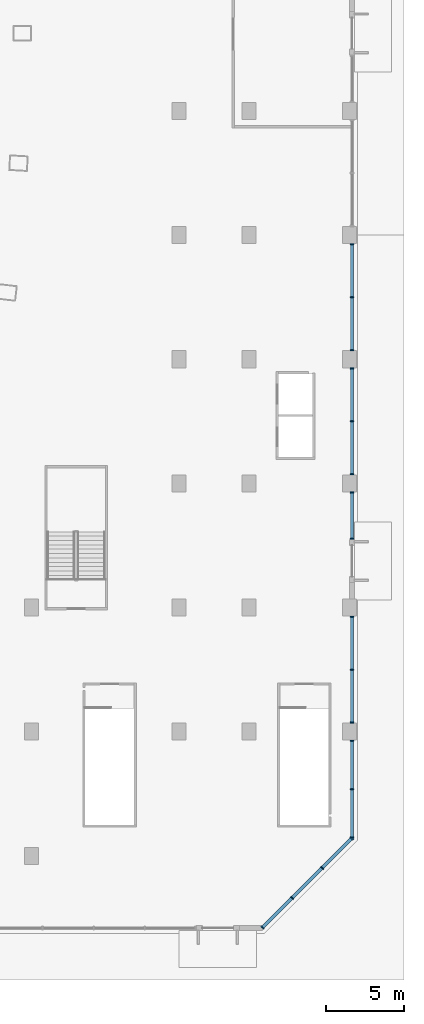
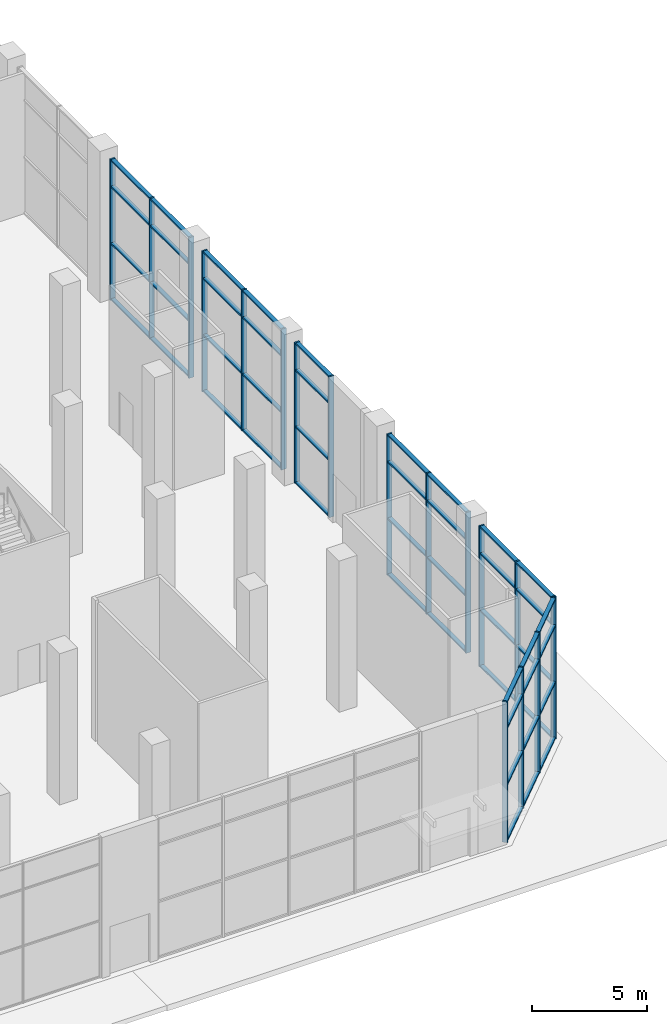
# One storey, part 4 of 33: 66 members, 6 elements without a shape of their own.
"""IFC4 building model written with IfcOpenShell, lengths in metres."""

from ifc_helpers import new_model, si_unit, direction, frame, origin, origin_2d, place, context, subcontext, project, spatial, rectangle, extrude, material, layer, layer_set, material_profile, profile_set, type_object, element, aggregate, save


model = new_model("IFC4")

# Units and contexts
model_context = context("Model", 3, precision=1e-05, world=origin(), true_north=direction((0.0, 1.0)))
body_context = subcontext(model_context, "Body", "Model", "MODEL_VIEW")
ifc_project = project(units=[si_unit("LENGTHUNIT", "METRE"), si_unit("AREAUNIT", "SQUARE_METRE"), si_unit("VOLUMEUNIT", "CUBIC_METRE"), si_unit("PLANEANGLEUNIT", "RADIAN"), si_unit("MASSUNIT", "GRAM", prefix="KILO")], contexts=[model_context])

# Site, building, storey
site_placement = place(None, origin())
site = spatial("IfcSite", under=ifc_project, at=site_placement, CompositionType="ELEMENT")
building_placement = place(site_placement, origin())
building = spatial("IfcBuilding", under=site, at=building_placement, Name="Alderwake Tower", CompositionType="ELEMENT")
storey_placement = place(building_placement, origin())
storey = spatial("IfcBuildingStorey", under=building, at=storey_placement, Name="L00", CompositionType="ELEMENT", Elevation=0.0)

# Curtain wall, members
ifc_material_1 = material(Name="Bronze tinted glass in aluminium frame", Category="aluminium")
ifc_layer = layer(ifc_material_1, 0.300048828125)
ifc_layer_set = layer_set([ifc_layer], Name="Curtain wall CW2 station concourse wall")
curtain_wall_type = type_object("IfcCurtainWallType", Name="Curtain wall CW2 station concourse wall", PredefinedType="NOTDEFINED", material=ifc_layer_set)
curtain_wall_1_placement = place(storey_placement, origin())
curtain_wall_1 = element("IfcCurtainWall", 1, at=curtain_wall_1_placement, inside=storey, type_object=curtain_wall_type, Name="Curtain wall 5", PredefinedType="NOTDEFINED")
ifc_material_2 = material(Name="Aluminium bronze anodised", Category="aluminium")
ifc_material_profile_1 = material_profile(ifc_material_2, rectangle(XDim=0.25, YDim=0.080078125, at=origin_2d()), Name="Mullion MUB 80x250")
ifc_profile_set_1 = profile_set([ifc_material_profile_1], Name="Aluminium bronze anodised")
member_type_1 = type_object("IfcMemberType", Name="Mullion MUB 80x250", PredefinedType="MULLION", material=ifc_profile_set_1)
member_1_placement = place(storey_placement, frame((78.88330078125, 3.378173828125, 0.0), z_axis=(0.0, 0.0, 1.0), x_axis=(-0.707106781187, 0.707106781187, 0.0)))
member_1 = element("IfcMember", 2, at=member_1_placement, type_object=member_type_1, Name="CW.05 mullion 1", PredefinedType="MULLION", context=body_context, shape_type="SweptSolid", body=[
    extrude(rectangle(XDim=0.25, YDim=0.080078125, at=origin_2d()), origin(), (0.0, 0.0, 1.0), 7.449951171875),
])
member_2_placement = place(storey_placement, frame((80.790283203125, 5.28515625, 0.0), z_axis=(0.0, 0.0, 1.0), x_axis=(-0.707106781187, 0.707106781187, 0.0)))
member_2 = element("IfcMember", 3, at=member_2_placement, type_object=member_type_1, Name="CW.05 mullion 2", PredefinedType="MULLION", context=body_context, shape_type="SweptSolid", body=[
    extrude(rectangle(XDim=0.25, YDim=0.080078125, at=origin_2d()), origin(), (0.0, 0.0, 1.0), 7.449951171875),
])
member_3_placement = place(storey_placement, frame((82.725341796875, 7.220458984375, 0.0), z_axis=(0.0, 0.0, 1.0), x_axis=(-0.707106781187, 0.707106781187, 0.0)))
member_3 = element("IfcMember", 4, at=member_3_placement, type_object=member_type_1, Name="CW.05 mullion 3", PredefinedType="MULLION", context=body_context, shape_type="SweptSolid", body=[
    extrude(rectangle(XDim=0.25, YDim=0.080078125, at=origin_2d()), origin(), (0.0, 0.0, 1.0), 7.449951171875),
])
member_4_placement = place(storey_placement, frame((84.63232421875, 9.127197265625, 0.0), z_axis=(0.0, 0.0, 1.0), x_axis=(-0.707106781187, 0.707106781187, 0.0)))
member_4 = element("IfcMember", 5, at=member_4_placement, type_object=member_type_1, Name="CW.05 mullion 4", PredefinedType="MULLION", context=body_context, shape_type="SweptSolid", body=[
    extrude(rectangle(XDim=0.25, YDim=0.080078125, at=origin_2d()), origin(), (0.0, 0.0, 1.0), 7.449951171875),
])

curtain_wall_2_placement = place(storey_placement, origin())
curtain_wall_2 = element("IfcCurtainWall", 6, at=curtain_wall_2_placement, inside=storey, type_object=curtain_wall_type, Name="Curtain wall 6", PredefinedType="NOTDEFINED")
member_5_placement = place(storey_placement, frame((84.64990234375, 9.18505859375, 0.0), z_axis=(0.0, 0.0, 1.0), x_axis=(-1.0, 0.0, 0.0)))
member_5 = element("IfcMember", 7, at=member_5_placement, type_object=member_type_1, Name="CW.06 mullion 1", PredefinedType="MULLION", context=body_context, shape_type="SweptSolid", body=[
    extrude(rectangle(XDim=0.25, YDim=0.080078125, at=origin_2d()), origin(), (0.0, 0.0, 1.0), 7.449951171875),
])
member_6_placement = place(storey_placement, frame((84.64990234375, 12.297607421875, 0.0), z_axis=(0.0, 0.0, 1.0), x_axis=(-1.0, 0.0, 0.0)))
member_6 = element("IfcMember", 8, at=member_6_placement, type_object=member_type_1, Name="CW.06 mullion 2", PredefinedType="MULLION", context=body_context, shape_type="SweptSolid", body=[
    extrude(rectangle(XDim=0.25, YDim=0.080078125, at=origin_2d()), origin(), (0.0, 0.0, 1.0), 7.449951171875),
])
member_7_placement = place(storey_placement, frame((84.64990234375, 15.409912109375, 0.0), z_axis=(0.0, 0.0, 1.0), x_axis=(-1.0, 0.0, 0.0)))
member_7 = element("IfcMember", 9, at=member_7_placement, type_object=member_type_1, Name="CW.06 mullion 3", PredefinedType="MULLION", context=body_context, shape_type="SweptSolid", body=[
    extrude(rectangle(XDim=0.25, YDim=0.080078125, at=origin_2d()), origin(), (0.0, 0.0, 1.0), 7.449951171875),
])

curtain_wall_3_placement = place(storey_placement, origin())
curtain_wall_3 = element("IfcCurtainWall", 10, at=curtain_wall_3_placement, inside=storey, type_object=curtain_wall_type, Name="Curtain wall 7", PredefinedType="NOTDEFINED")
member_8_placement = place(storey_placement, frame((84.64990234375, 16.590087890625, 0.0), z_axis=(0.0, 0.0, 1.0), x_axis=(-1.0, 0.0, 0.0)))
member_8 = element("IfcMember", 11, at=member_8_placement, type_object=member_type_1, Name="CW.07 mullion 1", PredefinedType="MULLION", context=body_context, shape_type="SweptSolid", body=[
    extrude(rectangle(XDim=0.25, YDim=0.080078125, at=origin_2d()), origin(), (0.0, 0.0, 1.0), 7.449951171875),
])
member_9_placement = place(storey_placement, frame((84.64990234375, 20.0, 0.0), z_axis=(0.0, 0.0, 1.0), x_axis=(-1.0, 0.0, 0.0)))
member_9 = element("IfcMember", 12, at=member_9_placement, type_object=member_type_1, Name="CW.07 mullion 2", PredefinedType="MULLION", context=body_context, shape_type="SweptSolid", body=[
    extrude(rectangle(XDim=0.25, YDim=0.080078125, at=origin_2d()), origin(), (0.0, 0.0, 1.0), 7.449951171875),
])
member_10_placement = place(storey_placement, frame((84.64990234375, 23.409912109375, 0.0), z_axis=(0.0, 0.0, 1.0), x_axis=(-1.0, 0.0, 0.0)))
member_10 = element("IfcMember", 13, at=member_10_placement, type_object=member_type_1, Name="CW.07 mullion 3", PredefinedType="MULLION", context=body_context, shape_type="SweptSolid", body=[
    extrude(rectangle(XDim=0.25, YDim=0.080078125, at=origin_2d()), origin(), (0.0, 0.0, 1.0), 7.449951171875),
])

curtain_wall_4_placement = place(storey_placement, origin())
curtain_wall_4 = element("IfcCurtainWall", 14, at=curtain_wall_4_placement, inside=storey, type_object=curtain_wall_type, Name="Curtain wall 8", PredefinedType="NOTDEFINED")
member_11_placement = place(storey_placement, frame((84.64990234375, 28.43994140625, 0.0), z_axis=(0.0, 0.0, 1.0), x_axis=(-1.0, 0.0, 0.0)))
member_11 = element("IfcMember", 15, at=member_11_placement, type_object=member_type_1, Name="CW.08 mullion 1", PredefinedType="MULLION", context=body_context, shape_type="SweptSolid", body=[
    extrude(rectangle(XDim=0.25, YDim=0.080078125, at=origin_2d()), origin(), (0.0, 0.0, 1.0), 7.449951171875),
])
member_12_placement = place(storey_placement, frame((84.64990234375, 31.409912109375, 0.0), z_axis=(0.0, 0.0, 1.0), x_axis=(-1.0, 0.0, 0.0)))
member_12 = element("IfcMember", 16, at=member_12_placement, type_object=member_type_1, Name="CW.08 mullion 2", PredefinedType="MULLION", context=body_context, shape_type="SweptSolid", body=[
    extrude(rectangle(XDim=0.25, YDim=0.080078125, at=origin_2d()), origin(), (0.0, 0.0, 1.0), 7.449951171875),
])

curtain_wall_5_placement = place(storey_placement, origin())
curtain_wall_5 = element("IfcCurtainWall", 17, at=curtain_wall_5_placement, inside=storey, type_object=curtain_wall_type, Name="Curtain wall 9", PredefinedType="NOTDEFINED")
member_13_placement = place(storey_placement, frame((84.64990234375, 32.590087890625, 0.0), z_axis=(0.0, 0.0, 1.0), x_axis=(-1.0, 0.0, 0.0)))
member_13 = element("IfcMember", 18, at=member_13_placement, type_object=member_type_1, Name="CW.09 mullion 1", PredefinedType="MULLION", context=body_context, shape_type="SweptSolid", body=[
    extrude(rectangle(XDim=0.25, YDim=0.080078125, at=origin_2d()), origin(), (0.0, 0.0, 1.0), 7.449951171875),
])
member_14_placement = place(storey_placement, frame((84.64990234375, 36.0, 0.0), z_axis=(0.0, 0.0, 1.0), x_axis=(-1.0, 0.0, 0.0)))
member_14 = element("IfcMember", 19, at=member_14_placement, type_object=member_type_1, Name="CW.09 mullion 2", PredefinedType="MULLION", context=body_context, shape_type="SweptSolid", body=[
    extrude(rectangle(XDim=0.25, YDim=0.080078125, at=origin_2d()), origin(), (0.0, 0.0, 1.0), 7.449951171875),
])
member_15_placement = place(storey_placement, frame((84.64990234375, 39.409912109375, 0.0), z_axis=(0.0, 0.0, 1.0), x_axis=(-1.0, 0.0, 0.0)))
member_15 = element("IfcMember", 20, at=member_15_placement, type_object=member_type_1, Name="CW.09 mullion 3", PredefinedType="MULLION", context=body_context, shape_type="SweptSolid", body=[
    extrude(rectangle(XDim=0.25, YDim=0.080078125, at=origin_2d()), origin(), (0.0, 0.0, 1.0), 7.449951171875),
])

curtain_wall_6_placement = place(storey_placement, origin())
curtain_wall_6 = element("IfcCurtainWall", 21, at=curtain_wall_6_placement, inside=storey, type_object=curtain_wall_type, Name="Curtain wall 10", PredefinedType="NOTDEFINED")
member_16_placement = place(storey_placement, frame((84.64990234375, 40.590087890625, 0.0), z_axis=(0.0, 0.0, 1.0), x_axis=(-1.0, 0.0, 0.0)))
member_16 = element("IfcMember", 22, at=member_16_placement, type_object=member_type_1, Name="CW.10 mullion 1", PredefinedType="MULLION", context=body_context, shape_type="SweptSolid", body=[
    extrude(rectangle(XDim=0.25, YDim=0.080078125, at=origin_2d()), origin(), (0.0, 0.0, 1.0), 7.449951171875),
])
member_17_placement = place(storey_placement, frame((84.64990234375, 44.0, 0.0), z_axis=(0.0, 0.0, 1.0), x_axis=(-1.0, 0.0, 0.0)))
member_17 = element("IfcMember", 23, at=member_17_placement, type_object=member_type_1, Name="CW.10 mullion 2", PredefinedType="MULLION", context=body_context, shape_type="SweptSolid", body=[
    extrude(rectangle(XDim=0.25, YDim=0.080078125, at=origin_2d()), origin(), (0.0, 0.0, 1.0), 7.449951171875),
])
member_18_placement = place(storey_placement, frame((84.64990234375, 47.409912109375, 0.0), z_axis=(0.0, 0.0, 1.0), x_axis=(-1.0, 0.0, 0.0)))
member_18 = element("IfcMember", 24, at=member_18_placement, type_object=member_type_1, Name="CW.10 mullion 3", PredefinedType="MULLION", context=body_context, shape_type="SweptSolid", body=[
    extrude(rectangle(XDim=0.25, YDim=0.080078125, at=origin_2d()), origin(), (0.0, 0.0, 1.0), 7.449951171875),
])

# Member
ifc_material_3 = material(Name="Aluminium bronze anodised", Category="aluminium")
ifc_material_profile_2 = material_profile(ifc_material_3, rectangle(XDim=0.199951171875, YDim=0.080078125, at=origin_2d()), Name="Transom TRB 80x200")
ifc_profile_set_2 = profile_set([ifc_material_profile_2], Name="Aluminium bronze anodised")
member_type_2 = type_object("IfcMemberType", Name="Transom TRB 80x200", PredefinedType="USERDEFINED", material=ifc_profile_set_2)
member_19_placement = place(storey_placement, frame((78.91162109375, 3.406494140625, 0.0400390625), z_axis=(0.707106781187, 0.707106781187, 0.0), x_axis=(-0.707106781187, 0.707106781187, 0.0)))
member_19 = element("IfcMember", 25, at=member_19_placement, type_object=member_type_2, Name="CW.05 transom 1.1", ObjectType="TRANSOM", PredefinedType="USERDEFINED", context=body_context, shape_type="SweptSolid", body=[
    extrude(rectangle(XDim=0.199951171875, YDim=0.080078125, at=origin_2d()), origin(), (0.0, 0.0, 1.0), 2.61669921875),
])

member_20_placement = place(storey_placement, frame((78.91162109375, 3.406494140625, 3.0), z_axis=(0.707106781187, 0.707106781187, 0.0), x_axis=(-0.707106781187, 0.707106781187, 0.0)))
member_20 = element("IfcMember", 26, at=member_20_placement, type_object=member_type_2, Name="CW.05 transom 1.2", ObjectType="TRANSOM", PredefinedType="USERDEFINED", context=body_context, shape_type="SweptSolid", body=[
    extrude(rectangle(XDim=0.199951171875, YDim=0.080078125, at=origin_2d()), origin(), (0.0, 0.0, 1.0), 2.61669921875),
])

member_21_placement = place(storey_placement, frame((78.91162109375, 3.406494140625, 6.0), z_axis=(0.707106781187, 0.707106781187, 0.0), x_axis=(-0.707106781187, 0.707106781187, 0.0)))
member_21 = element("IfcMember", 27, at=member_21_placement, type_object=member_type_2, Name="CW.05 transom 1.3", ObjectType="TRANSOM", PredefinedType="USERDEFINED", context=body_context, shape_type="SweptSolid", body=[
    extrude(rectangle(XDim=0.199951171875, YDim=0.080078125, at=origin_2d()), origin(), (0.0, 0.0, 1.0), 2.61669921875),
])

member_22_placement = place(storey_placement, frame((78.91162109375, 3.406494140625, 7.409912109375), z_axis=(0.707106781187, 0.707106781187, 0.0), x_axis=(-0.707106781187, 0.707106781187, 0.0)))
member_22 = element("IfcMember", 28, at=member_22_placement, type_object=member_type_2, Name="CW.05 transom 1.4", ObjectType="TRANSOM", PredefinedType="USERDEFINED", context=body_context, shape_type="SweptSolid", body=[
    extrude(rectangle(XDim=0.199951171875, YDim=0.080078125, at=origin_2d()), origin(), (0.0, 0.0, 1.0), 2.61669921875),
])

member_23_placement = place(storey_placement, frame((80.818603515625, 5.3134765625, 0.0400390625), z_axis=(0.707060830848, 0.707152728539, 0.0), x_axis=(-0.707152728539, 0.707060830848, 0.0)))
member_23 = element("IfcMember", 29, at=member_23_placement, type_object=member_type_2, Name="CW.05 transom 2.1", ObjectType="TRANSOM", PredefinedType="USERDEFINED", context=body_context, shape_type="SweptSolid", body=[
    extrude(rectangle(XDim=0.199951171875, YDim=0.080078125, at=origin_2d()), origin(), (0.0, 0.0, 1.0), 2.65673828125),
])

member_24_placement = place(storey_placement, frame((80.818603515625, 5.3134765625, 3.0), z_axis=(0.707060830848, 0.707152728539, 0.0), x_axis=(-0.707152728539, 0.707060830848, 0.0)))
member_24 = element("IfcMember", 30, at=member_24_placement, type_object=member_type_2, Name="CW.05 transom 2.2", ObjectType="TRANSOM", PredefinedType="USERDEFINED", context=body_context, shape_type="SweptSolid", body=[
    extrude(rectangle(XDim=0.199951171875, YDim=0.080078125, at=origin_2d()), origin(), (0.0, 0.0, 1.0), 2.65673828125),
])

member_25_placement = place(storey_placement, frame((80.818603515625, 5.3134765625, 6.0), z_axis=(0.707060830848, 0.707152728539, 0.0), x_axis=(-0.707152728539, 0.707060830848, 0.0)))
member_25 = element("IfcMember", 31, at=member_25_placement, type_object=member_type_2, Name="CW.05 transom 2.3", ObjectType="TRANSOM", PredefinedType="USERDEFINED", context=body_context, shape_type="SweptSolid", body=[
    extrude(rectangle(XDim=0.199951171875, YDim=0.080078125, at=origin_2d()), origin(), (0.0, 0.0, 1.0), 2.65673828125),
])

member_26_placement = place(storey_placement, frame((80.818603515625, 5.3134765625, 7.409912109375), z_axis=(0.707060830848, 0.707152728539, 0.0), x_axis=(-0.707152728539, 0.707060830848, 0.0)))
member_26 = element("IfcMember", 32, at=member_26_placement, type_object=member_type_2, Name="CW.05 transom 2.4", ObjectType="TRANSOM", PredefinedType="USERDEFINED", context=body_context, shape_type="SweptSolid", body=[
    extrude(rectangle(XDim=0.199951171875, YDim=0.080078125, at=origin_2d()), origin(), (0.0, 0.0, 1.0), 2.65673828125),
])

member_27_placement = place(storey_placement, frame((82.753662109375, 7.248779296875, 0.0400390625), z_axis=(0.707106781187, 0.707106781187, 0.0), x_axis=(-0.707106781187, 0.707106781187, 0.0)))
member_27 = element("IfcMember", 33, at=member_27_placement, type_object=member_type_2, Name="CW.05 transom 3.1", ObjectType="TRANSOM", PredefinedType="USERDEFINED", context=body_context, shape_type="SweptSolid", body=[
    extrude(rectangle(XDim=0.199951171875, YDim=0.080078125, at=origin_2d()), origin(), (0.0, 0.0, 1.0), 2.61669921875),
])

member_28_placement = place(storey_placement, frame((82.753662109375, 7.248779296875, 3.0), z_axis=(0.707106781187, 0.707106781187, 0.0), x_axis=(-0.707106781187, 0.707106781187, 0.0)))
member_28 = element("IfcMember", 34, at=member_28_placement, type_object=member_type_2, Name="CW.05 transom 3.2", ObjectType="TRANSOM", PredefinedType="USERDEFINED", context=body_context, shape_type="SweptSolid", body=[
    extrude(rectangle(XDim=0.199951171875, YDim=0.080078125, at=origin_2d()), origin(), (0.0, 0.0, 1.0), 2.61669921875),
])

member_29_placement = place(storey_placement, frame((82.753662109375, 7.248779296875, 6.0), z_axis=(0.707106781187, 0.707106781187, 0.0), x_axis=(-0.707106781187, 0.707106781187, 0.0)))
member_29 = element("IfcMember", 35, at=member_29_placement, type_object=member_type_2, Name="CW.05 transom 3.3", ObjectType="TRANSOM", PredefinedType="USERDEFINED", context=body_context, shape_type="SweptSolid", body=[
    extrude(rectangle(XDim=0.199951171875, YDim=0.080078125, at=origin_2d()), origin(), (0.0, 0.0, 1.0), 2.61669921875),
])

member_30_placement = place(storey_placement, frame((82.753662109375, 7.248779296875, 7.409912109375), z_axis=(0.707106781187, 0.707106781187, 0.0), x_axis=(-0.707106781187, 0.707106781187, 0.0)))
member_30 = element("IfcMember", 36, at=member_30_placement, type_object=member_type_2, Name="CW.05 transom 3.4", ObjectType="TRANSOM", PredefinedType="USERDEFINED", context=body_context, shape_type="SweptSolid", body=[
    extrude(rectangle(XDim=0.199951171875, YDim=0.080078125, at=origin_2d()), origin(), (0.0, 0.0, 1.0), 2.61669921875),
])

aggregate(curtain_wall_1, [member_1, member_2, member_3, member_4, member_19, member_20, member_21, member_22, member_23, member_24, member_25, member_26, member_27, member_28, member_29, member_30])

member_31_placement = place(storey_placement, frame((84.64990234375, 9.22509765625, 0.0400390625), z_axis=(0.0, 1.0, 0.0), x_axis=(-1.0, 0.0, 0.0)))
member_31 = element("IfcMember", 37, at=member_31_placement, type_object=member_type_2, Name="CW.06 transom 1.1", ObjectType="TRANSOM", PredefinedType="USERDEFINED", context=body_context, shape_type="SweptSolid", body=[
    extrude(rectangle(XDim=0.199951171875, YDim=0.080078125, at=origin_2d()), origin(), (0.0, 0.0, 1.0), 3.032470703125),
])

member_32_placement = place(storey_placement, frame((84.64990234375, 9.22509765625, 3.0), z_axis=(0.0, 1.0, 0.0), x_axis=(-1.0, 0.0, 0.0)))
member_32 = element("IfcMember", 38, at=member_32_placement, type_object=member_type_2, Name="CW.06 transom 1.2", ObjectType="TRANSOM", PredefinedType="USERDEFINED", context=body_context, shape_type="SweptSolid", body=[
    extrude(rectangle(XDim=0.199951171875, YDim=0.080078125, at=origin_2d()), origin(), (0.0, 0.0, 1.0), 3.032470703125),
])

member_33_placement = place(storey_placement, frame((84.64990234375, 9.22509765625, 6.0), z_axis=(0.0, 1.0, 0.0), x_axis=(-1.0, 0.0, 0.0)))
member_33 = element("IfcMember", 39, at=member_33_placement, type_object=member_type_2, Name="CW.06 transom 1.3", ObjectType="TRANSOM", PredefinedType="USERDEFINED", context=body_context, shape_type="SweptSolid", body=[
    extrude(rectangle(XDim=0.199951171875, YDim=0.080078125, at=origin_2d()), origin(), (0.0, 0.0, 1.0), 3.032470703125),
])

member_34_placement = place(storey_placement, frame((84.64990234375, 9.22509765625, 7.409912109375), z_axis=(0.0, 1.0, 0.0), x_axis=(-1.0, 0.0, 0.0)))
member_34 = element("IfcMember", 40, at=member_34_placement, type_object=member_type_2, Name="CW.06 transom 1.4", ObjectType="TRANSOM", PredefinedType="USERDEFINED", context=body_context, shape_type="SweptSolid", body=[
    extrude(rectangle(XDim=0.199951171875, YDim=0.080078125, at=origin_2d()), origin(), (0.0, 0.0, 1.0), 3.032470703125),
])

member_35_placement = place(storey_placement, frame((84.64990234375, 12.33740234375, 0.0400390625), z_axis=(0.0, 1.0, 0.0), x_axis=(-1.0, 0.0, 0.0)))
member_35 = element("IfcMember", 41, at=member_35_placement, type_object=member_type_2, Name="CW.06 transom 2.1", ObjectType="TRANSOM", PredefinedType="USERDEFINED", context=body_context, shape_type="SweptSolid", body=[
    extrude(rectangle(XDim=0.199951171875, YDim=0.080078125, at=origin_2d()), origin(), (0.0, 0.0, 1.0), 3.03271484375),
])

member_36_placement = place(storey_placement, frame((84.64990234375, 12.33740234375, 3.0), z_axis=(0.0, 1.0, 0.0), x_axis=(-1.0, 0.0, 0.0)))
member_36 = element("IfcMember", 42, at=member_36_placement, type_object=member_type_2, Name="CW.06 transom 2.2", ObjectType="TRANSOM", PredefinedType="USERDEFINED", context=body_context, shape_type="SweptSolid", body=[
    extrude(rectangle(XDim=0.199951171875, YDim=0.080078125, at=origin_2d()), origin(), (0.0, 0.0, 1.0), 3.03271484375),
])

member_37_placement = place(storey_placement, frame((84.64990234375, 12.33740234375, 6.0), z_axis=(0.0, 1.0, 0.0), x_axis=(-1.0, 0.0, 0.0)))
member_37 = element("IfcMember", 43, at=member_37_placement, type_object=member_type_2, Name="CW.06 transom 2.3", ObjectType="TRANSOM", PredefinedType="USERDEFINED", context=body_context, shape_type="SweptSolid", body=[
    extrude(rectangle(XDim=0.199951171875, YDim=0.080078125, at=origin_2d()), origin(), (0.0, 0.0, 1.0), 3.03271484375),
])

member_38_placement = place(storey_placement, frame((84.64990234375, 12.33740234375, 7.409912109375), z_axis=(0.0, 1.0, 0.0), x_axis=(-1.0, 0.0, 0.0)))
member_38 = element("IfcMember", 44, at=member_38_placement, type_object=member_type_2, Name="CW.06 transom 2.4", ObjectType="TRANSOM", PredefinedType="USERDEFINED", context=body_context, shape_type="SweptSolid", body=[
    extrude(rectangle(XDim=0.199951171875, YDim=0.080078125, at=origin_2d()), origin(), (0.0, 0.0, 1.0), 3.03271484375),
])

aggregate(curtain_wall_2, [member_5, member_6, member_7, member_31, member_32, member_33, member_34, member_35, member_36, member_37, member_38])

member_39_placement = place(storey_placement, frame((84.64990234375, 16.6298828125, 0.0400390625), z_axis=(0.0, 1.0, 0.0), x_axis=(-1.0, 0.0, 0.0)))
member_39 = element("IfcMember", 45, at=member_39_placement, type_object=member_type_2, Name="CW.07 transom 1.1", ObjectType="TRANSOM", PredefinedType="USERDEFINED", context=body_context, shape_type="SweptSolid", body=[
    extrude(rectangle(XDim=0.199951171875, YDim=0.080078125, at=origin_2d()), origin(), (0.0, 0.0, 1.0), 3.330078125),
])

member_40_placement = place(storey_placement, frame((84.64990234375, 16.6298828125, 3.0), z_axis=(0.0, 1.0, 0.0), x_axis=(-1.0, 0.0, 0.0)))
member_40 = element("IfcMember", 46, at=member_40_placement, type_object=member_type_2, Name="CW.07 transom 1.2", ObjectType="TRANSOM", PredefinedType="USERDEFINED", context=body_context, shape_type="SweptSolid", body=[
    extrude(rectangle(XDim=0.199951171875, YDim=0.080078125, at=origin_2d()), origin(), (0.0, 0.0, 1.0), 3.330078125),
])

member_41_placement = place(storey_placement, frame((84.64990234375, 16.6298828125, 6.0), z_axis=(0.0, 1.0, 0.0), x_axis=(-1.0, 0.0, 0.0)))
member_41 = element("IfcMember", 47, at=member_41_placement, type_object=member_type_2, Name="CW.07 transom 1.3", ObjectType="TRANSOM", PredefinedType="USERDEFINED", context=body_context, shape_type="SweptSolid", body=[
    extrude(rectangle(XDim=0.199951171875, YDim=0.080078125, at=origin_2d()), origin(), (0.0, 0.0, 1.0), 3.330078125),
])

member_42_placement = place(storey_placement, frame((84.64990234375, 16.6298828125, 7.409912109375), z_axis=(0.0, 1.0, 0.0), x_axis=(-1.0, 0.0, 0.0)))
member_42 = element("IfcMember", 48, at=member_42_placement, type_object=member_type_2, Name="CW.07 transom 1.4", ObjectType="TRANSOM", PredefinedType="USERDEFINED", context=body_context, shape_type="SweptSolid", body=[
    extrude(rectangle(XDim=0.199951171875, YDim=0.080078125, at=origin_2d()), origin(), (0.0, 0.0, 1.0), 3.330078125),
])

member_43_placement = place(storey_placement, frame((84.64990234375, 20.0400390625, 0.0400390625), z_axis=(0.0, 1.0, 0.0), x_axis=(-1.0, 0.0, 0.0)))
member_43 = element("IfcMember", 49, at=member_43_placement, type_object=member_type_2, Name="CW.07 transom 2.1", ObjectType="TRANSOM", PredefinedType="USERDEFINED", context=body_context, shape_type="SweptSolid", body=[
    extrude(rectangle(XDim=0.199951171875, YDim=0.080078125, at=origin_2d()), origin(), (0.0, 0.0, 1.0), 3.330078125),
])

member_44_placement = place(storey_placement, frame((84.64990234375, 20.0400390625, 3.0), z_axis=(0.0, 1.0, 0.0), x_axis=(-1.0, 0.0, 0.0)))
member_44 = element("IfcMember", 50, at=member_44_placement, type_object=member_type_2, Name="CW.07 transom 2.2", ObjectType="TRANSOM", PredefinedType="USERDEFINED", context=body_context, shape_type="SweptSolid", body=[
    extrude(rectangle(XDim=0.199951171875, YDim=0.080078125, at=origin_2d()), origin(), (0.0, 0.0, 1.0), 3.330078125),
])

member_45_placement = place(storey_placement, frame((84.64990234375, 20.0400390625, 6.0), z_axis=(0.0, 1.0, 0.0), x_axis=(-1.0, 0.0, 0.0)))
member_45 = element("IfcMember", 51, at=member_45_placement, type_object=member_type_2, Name="CW.07 transom 2.3", ObjectType="TRANSOM", PredefinedType="USERDEFINED", context=body_context, shape_type="SweptSolid", body=[
    extrude(rectangle(XDim=0.199951171875, YDim=0.080078125, at=origin_2d()), origin(), (0.0, 0.0, 1.0), 3.330078125),
])

member_46_placement = place(storey_placement, frame((84.64990234375, 20.0400390625, 7.409912109375), z_axis=(0.0, 1.0, 0.0), x_axis=(-1.0, 0.0, 0.0)))
member_46 = element("IfcMember", 52, at=member_46_placement, type_object=member_type_2, Name="CW.07 transom 2.4", ObjectType="TRANSOM", PredefinedType="USERDEFINED", context=body_context, shape_type="SweptSolid", body=[
    extrude(rectangle(XDim=0.199951171875, YDim=0.080078125, at=origin_2d()), origin(), (0.0, 0.0, 1.0), 3.330078125),
])

aggregate(curtain_wall_3, [member_8, member_9, member_10, member_39, member_40, member_41, member_42, member_43, member_44, member_45, member_46])

member_47_placement = place(storey_placement, frame((84.64990234375, 28.47998046875, 0.0400390625), z_axis=(0.0, 1.0, 0.0), x_axis=(-1.0, 0.0, 0.0)))
member_47 = element("IfcMember", 53, at=member_47_placement, type_object=member_type_2, Name="CW.08 transom 1.1", ObjectType="TRANSOM", PredefinedType="USERDEFINED", context=body_context, shape_type="SweptSolid", body=[
    extrude(rectangle(XDim=0.199951171875, YDim=0.080078125, at=origin_2d()), origin(), (0.0, 0.0, 1.0), 2.89013671875),
])

member_48_placement = place(storey_placement, frame((84.64990234375, 28.47998046875, 3.0), z_axis=(0.0, 1.0, 0.0), x_axis=(-1.0, 0.0, 0.0)))
member_48 = element("IfcMember", 54, at=member_48_placement, type_object=member_type_2, Name="CW.08 transom 1.2", ObjectType="TRANSOM", PredefinedType="USERDEFINED", context=body_context, shape_type="SweptSolid", body=[
    extrude(rectangle(XDim=0.199951171875, YDim=0.080078125, at=origin_2d()), origin(), (0.0, 0.0, 1.0), 2.89013671875),
])

member_49_placement = place(storey_placement, frame((84.64990234375, 28.47998046875, 6.0), z_axis=(0.0, 1.0, 0.0), x_axis=(-1.0, 0.0, 0.0)))
member_49 = element("IfcMember", 55, at=member_49_placement, type_object=member_type_2, Name="CW.08 transom 1.3", ObjectType="TRANSOM", PredefinedType="USERDEFINED", context=body_context, shape_type="SweptSolid", body=[
    extrude(rectangle(XDim=0.199951171875, YDim=0.080078125, at=origin_2d()), origin(), (0.0, 0.0, 1.0), 2.89013671875),
])

member_50_placement = place(storey_placement, frame((84.64990234375, 28.47998046875, 7.409912109375), z_axis=(0.0, 1.0, 0.0), x_axis=(-1.0, 0.0, 0.0)))
member_50 = element("IfcMember", 56, at=member_50_placement, type_object=member_type_2, Name="CW.08 transom 1.4", ObjectType="TRANSOM", PredefinedType="USERDEFINED", context=body_context, shape_type="SweptSolid", body=[
    extrude(rectangle(XDim=0.199951171875, YDim=0.080078125, at=origin_2d()), origin(), (0.0, 0.0, 1.0), 2.89013671875),
])

aggregate(curtain_wall_4, [member_11, member_12, member_47, member_48, member_49, member_50])

member_51_placement = place(storey_placement, frame((84.64990234375, 32.6298828125, 0.0400390625), z_axis=(0.0, 1.0, 0.0), x_axis=(-1.0, 0.0, 0.0)))
member_51 = element("IfcMember", 57, at=member_51_placement, type_object=member_type_2, Name="CW.09 transom 1.1", ObjectType="TRANSOM", PredefinedType="USERDEFINED", context=body_context, shape_type="SweptSolid", body=[
    extrude(rectangle(XDim=0.199951171875, YDim=0.080078125, at=origin_2d()), origin(), (0.0, 0.0, 1.0), 3.330078125),
])

member_52_placement = place(storey_placement, frame((84.64990234375, 32.6298828125, 3.0), z_axis=(0.0, 1.0, 0.0), x_axis=(-1.0, 0.0, 0.0)))
member_52 = element("IfcMember", 58, at=member_52_placement, type_object=member_type_2, Name="CW.09 transom 1.2", ObjectType="TRANSOM", PredefinedType="USERDEFINED", context=body_context, shape_type="SweptSolid", body=[
    extrude(rectangle(XDim=0.199951171875, YDim=0.080078125, at=origin_2d()), origin(), (0.0, 0.0, 1.0), 3.330078125),
])

member_53_placement = place(storey_placement, frame((84.64990234375, 32.6298828125, 6.0), z_axis=(0.0, 1.0, 0.0), x_axis=(-1.0, 0.0, 0.0)))
member_53 = element("IfcMember", 59, at=member_53_placement, type_object=member_type_2, Name="CW.09 transom 1.3", ObjectType="TRANSOM", PredefinedType="USERDEFINED", context=body_context, shape_type="SweptSolid", body=[
    extrude(rectangle(XDim=0.199951171875, YDim=0.080078125, at=origin_2d()), origin(), (0.0, 0.0, 1.0), 3.330078125),
])

member_54_placement = place(storey_placement, frame((84.64990234375, 32.6298828125, 7.409912109375), z_axis=(0.0, 1.0, 0.0), x_axis=(-1.0, 0.0, 0.0)))
member_54 = element("IfcMember", 60, at=member_54_placement, type_object=member_type_2, Name="CW.09 transom 1.4", ObjectType="TRANSOM", PredefinedType="USERDEFINED", context=body_context, shape_type="SweptSolid", body=[
    extrude(rectangle(XDim=0.199951171875, YDim=0.080078125, at=origin_2d()), origin(), (0.0, 0.0, 1.0), 3.330078125),
])

member_55_placement = place(storey_placement, frame((84.64990234375, 36.0400390625, 0.0400390625), z_axis=(0.0, 1.0, 0.0), x_axis=(-1.0, 0.0, 0.0)))
member_55 = element("IfcMember", 61, at=member_55_placement, type_object=member_type_2, Name="CW.09 transom 2.1", ObjectType="TRANSOM", PredefinedType="USERDEFINED", context=body_context, shape_type="SweptSolid", body=[
    extrude(rectangle(XDim=0.199951171875, YDim=0.080078125, at=origin_2d()), origin(), (0.0, 0.0, 1.0), 3.330078125),
])

member_56_placement = place(storey_placement, frame((84.64990234375, 36.0400390625, 3.0), z_axis=(0.0, 1.0, 0.0), x_axis=(-1.0, 0.0, 0.0)))
member_56 = element("IfcMember", 62, at=member_56_placement, type_object=member_type_2, Name="CW.09 transom 2.2", ObjectType="TRANSOM", PredefinedType="USERDEFINED", context=body_context, shape_type="SweptSolid", body=[
    extrude(rectangle(XDim=0.199951171875, YDim=0.080078125, at=origin_2d()), origin(), (0.0, 0.0, 1.0), 3.330078125),
])

member_57_placement = place(storey_placement, frame((84.64990234375, 36.0400390625, 6.0), z_axis=(0.0, 1.0, 0.0), x_axis=(-1.0, 0.0, 0.0)))
member_57 = element("IfcMember", 63, at=member_57_placement, type_object=member_type_2, Name="CW.09 transom 2.3", ObjectType="TRANSOM", PredefinedType="USERDEFINED", context=body_context, shape_type="SweptSolid", body=[
    extrude(rectangle(XDim=0.199951171875, YDim=0.080078125, at=origin_2d()), origin(), (0.0, 0.0, 1.0), 3.330078125),
])

member_58_placement = place(storey_placement, frame((84.64990234375, 36.0400390625, 7.409912109375), z_axis=(0.0, 1.0, 0.0), x_axis=(-1.0, 0.0, 0.0)))
member_58 = element("IfcMember", 64, at=member_58_placement, type_object=member_type_2, Name="CW.09 transom 2.4", ObjectType="TRANSOM", PredefinedType="USERDEFINED", context=body_context, shape_type="SweptSolid", body=[
    extrude(rectangle(XDim=0.199951171875, YDim=0.080078125, at=origin_2d()), origin(), (0.0, 0.0, 1.0), 3.330078125),
])

aggregate(curtain_wall_5, [member_13, member_14, member_15, member_51, member_52, member_53, member_54, member_55, member_56, member_57, member_58])

member_59_placement = place(storey_placement, frame((84.64990234375, 40.6298828125, 0.0400390625), z_axis=(0.0, 1.0, 0.0), x_axis=(-1.0, 0.0, 0.0)))
member_59 = element("IfcMember", 65, at=member_59_placement, type_object=member_type_2, Name="CW.10 transom 1.1", ObjectType="TRANSOM", PredefinedType="USERDEFINED", context=body_context, shape_type="SweptSolid", body=[
    extrude(rectangle(XDim=0.199951171875, YDim=0.080078125, at=origin_2d()), origin(), (0.0, 0.0, 1.0), 3.330078125),
])

member_60_placement = place(storey_placement, frame((84.64990234375, 40.6298828125, 3.0), z_axis=(0.0, 1.0, 0.0), x_axis=(-1.0, 0.0, 0.0)))
member_60 = element("IfcMember", 66, at=member_60_placement, type_object=member_type_2, Name="CW.10 transom 1.2", ObjectType="TRANSOM", PredefinedType="USERDEFINED", context=body_context, shape_type="SweptSolid", body=[
    extrude(rectangle(XDim=0.199951171875, YDim=0.080078125, at=origin_2d()), origin(), (0.0, 0.0, 1.0), 3.330078125),
])

member_61_placement = place(storey_placement, frame((84.64990234375, 40.6298828125, 6.0), z_axis=(0.0, 1.0, 0.0), x_axis=(-1.0, 0.0, 0.0)))
member_61 = element("IfcMember", 67, at=member_61_placement, type_object=member_type_2, Name="CW.10 transom 1.3", ObjectType="TRANSOM", PredefinedType="USERDEFINED", context=body_context, shape_type="SweptSolid", body=[
    extrude(rectangle(XDim=0.199951171875, YDim=0.080078125, at=origin_2d()), origin(), (0.0, 0.0, 1.0), 3.330078125),
])

member_62_placement = place(storey_placement, frame((84.64990234375, 40.6298828125, 7.409912109375), z_axis=(0.0, 1.0, 0.0), x_axis=(-1.0, 0.0, 0.0)))
member_62 = element("IfcMember", 68, at=member_62_placement, type_object=member_type_2, Name="CW.10 transom 1.4", ObjectType="TRANSOM", PredefinedType="USERDEFINED", context=body_context, shape_type="SweptSolid", body=[
    extrude(rectangle(XDim=0.199951171875, YDim=0.080078125, at=origin_2d()), origin(), (0.0, 0.0, 1.0), 3.330078125),
])

member_63_placement = place(storey_placement, frame((84.64990234375, 44.0400390625, 0.0400390625), z_axis=(0.0, 1.0, 0.0), x_axis=(-1.0, 0.0, 0.0)))
member_63 = element("IfcMember", 69, at=member_63_placement, type_object=member_type_2, Name="CW.10 transom 2.1", ObjectType="TRANSOM", PredefinedType="USERDEFINED", context=body_context, shape_type="SweptSolid", body=[
    extrude(rectangle(XDim=0.199951171875, YDim=0.080078125, at=origin_2d()), origin(), (0.0, 0.0, 1.0), 3.330078125),
])

member_64_placement = place(storey_placement, frame((84.64990234375, 44.0400390625, 3.0), z_axis=(0.0, 1.0, 0.0), x_axis=(-1.0, 0.0, 0.0)))
member_64 = element("IfcMember", 70, at=member_64_placement, type_object=member_type_2, Name="CW.10 transom 2.2", ObjectType="TRANSOM", PredefinedType="USERDEFINED", context=body_context, shape_type="SweptSolid", body=[
    extrude(rectangle(XDim=0.199951171875, YDim=0.080078125, at=origin_2d()), origin(), (0.0, 0.0, 1.0), 3.330078125),
])

member_65_placement = place(storey_placement, frame((84.64990234375, 44.0400390625, 6.0), z_axis=(0.0, 1.0, 0.0), x_axis=(-1.0, 0.0, 0.0)))
member_65 = element("IfcMember", 71, at=member_65_placement, type_object=member_type_2, Name="CW.10 transom 2.3", ObjectType="TRANSOM", PredefinedType="USERDEFINED", context=body_context, shape_type="SweptSolid", body=[
    extrude(rectangle(XDim=0.199951171875, YDim=0.080078125, at=origin_2d()), origin(), (0.0, 0.0, 1.0), 3.330078125),
])

member_66_placement = place(storey_placement, frame((84.64990234375, 44.0400390625, 7.409912109375), z_axis=(0.0, 1.0, 0.0), x_axis=(-1.0, 0.0, 0.0)))
member_66 = element("IfcMember", 72, at=member_66_placement, type_object=member_type_2, Name="CW.10 transom 2.4", ObjectType="TRANSOM", PredefinedType="USERDEFINED", context=body_context, shape_type="SweptSolid", body=[
    extrude(rectangle(XDim=0.199951171875, YDim=0.080078125, at=origin_2d()), origin(), (0.0, 0.0, 1.0), 3.330078125),
])

aggregate(curtain_wall_6, [member_16, member_17, member_18, member_59, member_60, member_61, member_62, member_63, member_64, member_65, member_66])

save(model, "model.ifc")
